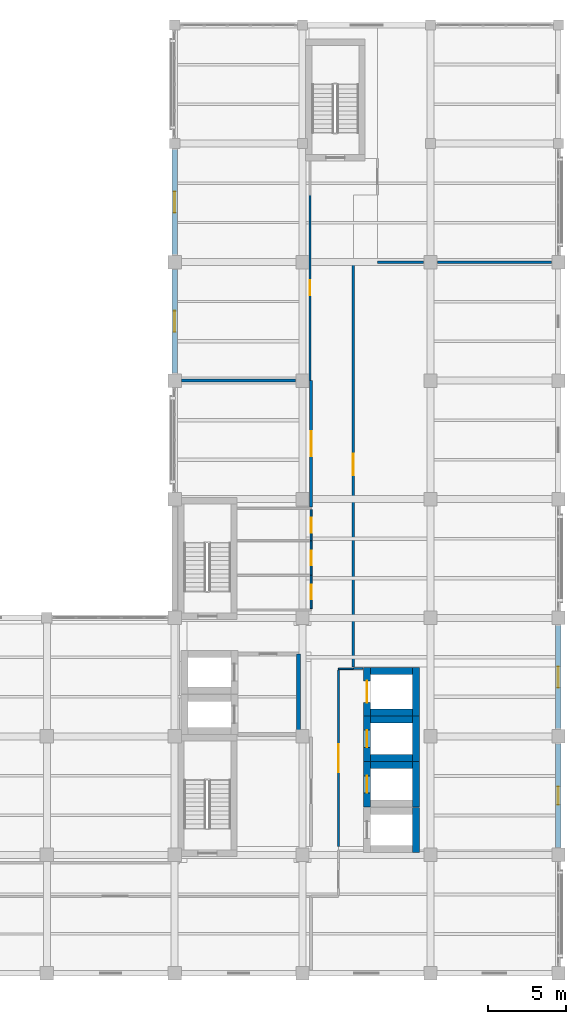
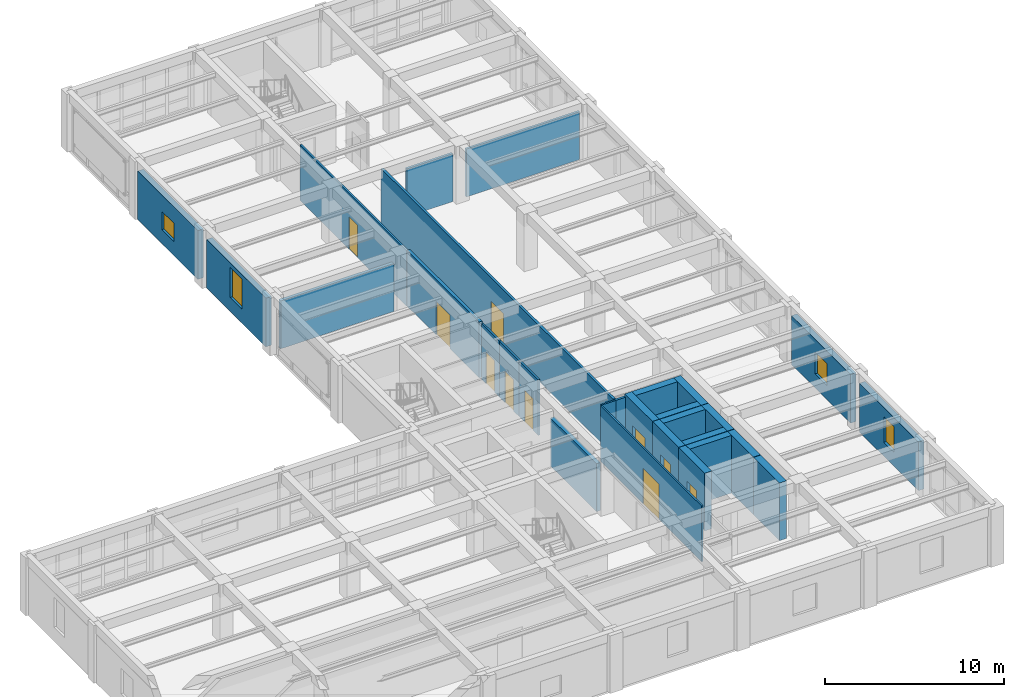
# One storey, part 10 of 17: 29 walls, 10 doors, 4 windows, 14 openings.
"""IFC4 building model written with IfcOpenShell, lengths in metres."""

from ifc_helpers import new_model, si_unit, direction, frame, frame_2d, origin, place, context, subcontext, project, spatial, rectangle, extrude, material, layer, layer_set, type_object, element, fill, save


model = new_model("IFC4")

# Units and contexts
model_context = context("Model", 3, precision=1e-05, world=origin(), true_north=direction((0.0, 1.0)))
body_context = subcontext(model_context, "Body", "Model", "MODEL_VIEW")
ifc_project = project(units=[si_unit("LENGTHUNIT", "METRE"), si_unit("AREAUNIT", "SQUARE_METRE"), si_unit("VOLUMEUNIT", "CUBIC_METRE"), si_unit("PLANEANGLEUNIT", "RADIAN"), si_unit("MASSUNIT", "GRAM", prefix="KILO")], contexts=[model_context])

# Site, building, storey
site_placement = place(None, origin())
site = spatial("IfcSite", under=ifc_project, at=site_placement, CompositionType="ELEMENT")
building_placement = place(site_placement, origin())
building = spatial("IfcBuilding", under=site, at=building_placement, Name="Qandaris Square Conservatory and Botanical Centre", CompositionType="ELEMENT")
storey_placement = place(building_placement, frame((0.0, 0.0, 28.199951171875)))
storey = spatial("IfcBuildingStorey", under=building, at=storey_placement, Name="L06", CompositionType="ELEMENT", Elevation=28.199951171875)

# Wall
ifc_material_1 = material(Name="Gypsum Plasterboard", Category="gypsum")
ifc_layer_1 = layer(ifc_material_1, 0.14990234375)
ifc_layer_set_1 = layer_set([ifc_layer_1], Name="Gypsum Plasterboard")
wall_type_1 = type_object("IfcWallType", Name="Acoustic Laboratory Partition 150mm", PredefinedType="PARTITIONING", material=ifc_layer_set_1)
wall_1_placement = place(storey_placement, frame((150.64990234375, 36.14990234375, 0.0), z_axis=(0.0, 0.0, 1.0), x_axis=(1.0, 0.0, 0.0)))
element("IfcWall", 1, at=wall_1_placement, inside=storey, type_object=wall_type_1, Name="Interior Partition IW-L06-0244", PredefinedType="PARTITIONING", context=body_context, shape_type="SweptSolid", body=[
    extrude(rectangle(XDim=0.6201171875, YDim=0.14990234375, at=frame_2d((0.31005859375, 0.0))), origin(), (0.0, 0.0, 1.0), 3.804931640625),
])

# Wall, opening, door
wall_2_placement = place(storey_placement, frame((150.64990234375, 62.199951171875, 0.0), z_axis=(0.0, 0.0, 1.0), x_axis=(0.0, -1.0, 0.0)))
wall_2 = element("IfcWall", 2, at=wall_2_placement, inside=storey, type_object=wall_type_1, Name="Interior Partition IW-L06-0255", PredefinedType="PARTITIONING", context=body_context, shape_type="SweptSolid", body=[
    extrude(rectangle(XDim=25.949951171875, YDim=0.14990234375, at=frame_2d((12.97509765625, 0.0))), origin(), (0.0, 0.0, 1.0), 3.804931640625),
])
opening_1_placement = place(wall_2_placement, frame((12.27490234375, 0.0, 0.0)))
opening_1 = element("IfcOpeningElement", 3, at=opening_1_placement, cuts=wall_2, Name="Opening D-LAB1", PredefinedType="OPENING", context=body_context, shape_type="SweptSolid", body=[
    extrude(rectangle(XDim=1.39990234375, YDim=2.199951171875, at=frame_2d((0.699951171875, 1.10009765625))), frame((0.0, 0.0869140625, 0.0), z_axis=(0.0, -1.0, 0.0), x_axis=(1.0, 0.0, 0.0)), (0.0, 0.0, 1.0), 0.173828125),
])
ifc_material_2 = material(Name="Engineered Oak Timber", Category="wood")
door_type_1 = type_object("IfcDoorType", Name="Research Laboratory Leaf-and-Half Door 1400x2200", OperationType="DOUBLE_DOOR_SINGLE_SWING", PredefinedType="DOOR", material=ifc_material_2)
door_1_placement = place(opening_1_placement, frame((1.39990234375, 0.0, 0.0), z_axis=(0.0, 0.0, 1.0), x_axis=(-1.0, 0.0, 0.0)))
door_1 = element("IfcDoor", 4, at=door_1_placement, inside=storey, type_object=door_type_1, Name="DR-0226 Conservation Genetics Analytical Laboratory Door", OperationType="DOUBLE_DOOR_SINGLE_SWING", OverallHeight=2.199951171875, OverallWidth=1.39990234375, PredefinedType="DOOR", context=body_context, shape_type="SweptSolid", body=[
    extrude(rectangle(XDim=1.39990234375, YDim=2.199951171875, at=frame_2d((0.699951171875, 1.10009765625))), frame((0.0, 0.02490234375, 0.0), z_axis=(0.0, -1.0, 0.0), x_axis=(1.0, 0.0, 0.0)), (0.0, 0.0, 1.0), 0.050048828125),
])
fill(opening_1, door_1)

# Walls
wall_3_placement = place(storey_placement, frame((152.199951171875, 62.199951171875, 0.0), z_axis=(0.0, 0.0, 1.0), x_axis=(1.0, 0.0, 0.0)))
element("IfcWall", 5, at=wall_3_placement, inside=storey, type_object=wall_type_1, Name="Interior Partition IW-L06-0263", PredefinedType="PARTITIONING", context=body_context, shape_type="SweptSolid", body=[
    extrude(rectangle(XDim=2.955078125, YDim=0.14990234375, at=frame_2d((1.4775390625, 0.0))), origin(), (0.0, 0.0, 1.0), 3.275146484375),
])
wall_4_placement = place(storey_placement, frame((156.044921875, 62.199951171875, 0.0), z_axis=(0.0, 0.0, 1.0), x_axis=(1.0, 0.0, 0.0)))
element("IfcWall", 6, at=wall_4_placement, inside=storey, type_object=wall_type_1, Name="Interior Partition IW-L06-0264", PredefinedType="PARTITIONING", context=body_context, shape_type="SweptSolid", body=[
    extrude(rectangle(XDim=7.31005859375, YDim=0.14990234375, at=frame_2d((3.655029296875, 0.0))), origin(), (0.0, 0.0, 1.0), 3.275146484375),
])

# Wall, opening, window
ifc_material_3 = material(Name="Precast concrete C40/50", Category="concrete")
ifc_layer_2 = layer(ifc_material_3, 0.360107421875)
ifc_layer_set_2 = layer_set([ifc_layer_2], Name="Precast concrete C40/50")
wall_type_2 = type_object("IfcWallType", Name="Architectural Precast Cladding Wall 360mm", PredefinedType="SOLIDWALL", material=ifc_layer_set_2)
wall_5_placement = place(storey_placement, frame((163.800048828125, 24.68505859375, 0.0), z_axis=(0.0, 0.0, 1.0), x_axis=(0.0, 1.0, 0.0)))
wall_5 = element("IfcWall", 7, at=wall_5_placement, inside=storey, type_object=wall_type_2, Name="Exterior Wall EW-TWR-L06-2-2", PredefinedType="SOLIDWALL", context=body_context, shape_type="SweptSolid", body=[
    extrude(rectangle(XDim=6.6298828125, YDim=0.360107421875, at=frame_2d((3.31494140625, 0.0))), origin(), (0.0, 0.0, 1.0), 3.324951171875),
])
opening_2_placement = place(wall_5_placement, frame((2.739990234375, 0.0, 0.949951171875)))
opening_2 = element("IfcOpeningElement", 8, at=opening_2_placement, cuts=wall_5, Name="Opening WN-19", PredefinedType="OPENING", context=body_context, shape_type="SweptSolid", body=[
    extrude(rectangle(XDim=1.14990234375, YDim=1.75, at=frame_2d((0.574951171875, 0.875))), frame((0.0, 0.19189453125, 0.0), z_axis=(0.0, -1.0, 0.0), x_axis=(1.0, 0.0, 0.0)), (0.0, 0.0, 1.0), 0.384033203125),
])
ifc_material_4 = material(Name="Tempered Low-E Glass", Category="glass")
window_type_1 = type_object("IfcWindowType", Name="Solar Control Window 1150x1750", PartitioningType="SINGLE_PANEL", PredefinedType="WINDOW", material=ifc_material_4)
window_1_placement = place(opening_2_placement, origin())
window_1 = element("IfcWindow", 9, at=window_1_placement, inside=storey, type_object=window_type_1, Name="Window EW-TWR-L06-2-2", OverallHeight=1.75, OverallWidth=1.14990234375, PartitioningType="SINGLE_PANEL", PredefinedType="WINDOW", context=body_context, shape_type="SweptSolid", body=[
    extrude(rectangle(XDim=1.14990234375, YDim=1.75, at=frame_2d((0.574951171875, 0.875))), frame((0.0, 0.030029296875, 0.0), z_axis=(0.0, -1.0, 0.0), x_axis=(1.0, 0.0, 0.0)), (0.0, 0.0, 1.0), 0.06005859375),
])
fill(opening_2, window_1)

wall_6_placement = place(storey_placement, frame((163.800048828125, 32.284912109375, 0.0), z_axis=(0.0, 0.0, 1.0), x_axis=(0.0, 1.0, 0.0)))
wall_6 = element("IfcWall", 10, at=wall_6_placement, inside=storey, type_object=wall_type_2, Name="Exterior Wall EW-TWR-L06-2-3", PredefinedType="SOLIDWALL", context=body_context, shape_type="SweptSolid", body=[
    extrude(rectangle(XDim=6.630126953125, YDim=0.360107421875, at=frame_2d((3.31494140625, 0.0))), origin(), (0.0, 0.0, 1.0), 3.324951171875),
])
opening_3_placement = place(wall_6_placement, frame((2.639892578125, 0.0, 0.949951171875)))
opening_3 = element("IfcOpeningElement", 11, at=opening_3_placement, cuts=wall_6, Name="Opening WN-22", PredefinedType="OPENING", context=body_context, shape_type="SweptSolid", body=[
    extrude(rectangle(XDim=1.35009765625, YDim=1.5, at=frame_2d((0.675048828125, 0.75))), frame((0.0, 0.19189453125, 0.0), z_axis=(0.0, -1.0, 0.0), x_axis=(1.0, 0.0, 0.0)), (0.0, 0.0, 1.0), 0.384033203125),
])
window_type_2 = type_object("IfcWindowType", Name="Solar Control Window 1350x1500", PartitioningType="SINGLE_PANEL", PredefinedType="WINDOW", material=ifc_material_4)
window_2_placement = place(opening_3_placement, origin())
window_2 = element("IfcWindow", 12, at=window_2_placement, inside=storey, type_object=window_type_2, Name="Window EW-TWR-L06-2-3", OverallHeight=1.5, OverallWidth=1.35009765625, PartitioningType="SINGLE_PANEL", PredefinedType="WINDOW", context=body_context, shape_type="SweptSolid", body=[
    extrude(rectangle(XDim=1.35009765625, YDim=1.5, at=frame_2d((0.675048828125, 0.75))), frame((0.0, 0.030029296875, 0.0), z_axis=(0.0, -1.0, 0.0), x_axis=(1.0, 0.0, 0.0)), (0.0, 0.0, 1.0), 0.06005859375),
])
fill(opening_3, window_2)

wall_7_placement = place(storey_placement, frame((139.199951171875, 69.4150390625, 0.0), z_axis=(0.0, 0.0, 1.0), x_axis=(0.0, -1.0, 0.0)))
wall_7 = element("IfcWall", 13, at=wall_7_placement, inside=storey, type_object=wall_type_2, Name="Exterior Wall EW-TWR-L06-4-2", PredefinedType="SOLIDWALL", context=body_context, shape_type="SweptSolid", body=[
    extrude(rectangle(XDim=6.72998046875, YDim=0.360107421875, at=frame_2d((3.364990234375, 0.0))), origin(), (0.0, 0.0, 1.0), 3.324951171875),
])
opening_4_placement = place(wall_7_placement, frame((2.68994140625, 0.0, 0.949951171875)))
opening_4 = element("IfcOpeningElement", 14, at=opening_4_placement, cuts=wall_7, Name="Opening WN-21", PredefinedType="OPENING", context=body_context, shape_type="SweptSolid", body=[
    extrude(rectangle(XDim=1.35009765625, YDim=1.25, at=frame_2d((0.675048828125, 0.625))), frame((0.0, 0.19189453125, 0.0), z_axis=(0.0, -1.0, 0.0), x_axis=(1.0, 0.0, 0.0)), (0.0, 0.0, 1.0), 0.384033203125),
])
window_type_3 = type_object("IfcWindowType", Name="Solar Control Window 1350x1250", PartitioningType="SINGLE_PANEL", PredefinedType="WINDOW", material=ifc_material_4)
window_3_placement = place(opening_4_placement, origin())
window_3 = element("IfcWindow", 15, at=window_3_placement, inside=storey, type_object=window_type_3, Name="Window EW-TWR-L06-4-2", OverallHeight=1.25, OverallWidth=1.35009765625, PartitioningType="SINGLE_PANEL", PredefinedType="WINDOW", context=body_context, shape_type="SweptSolid", body=[
    extrude(rectangle(XDim=1.35009765625, YDim=1.25, at=frame_2d((0.675048828125, 0.625))), frame((0.0, 0.030029296875, 0.0), z_axis=(0.0, -1.0, 0.0), x_axis=(1.0, 0.0, 0.0)), (0.0, 0.0, 1.0), 0.06005859375),
])
fill(opening_4, window_3)

wall_8_placement = place(storey_placement, frame((139.199951171875, 61.715087890625, 0.0), z_axis=(0.0, 0.0, 1.0), x_axis=(0.0, -1.0, 0.0)))
wall_8 = element("IfcWall", 16, at=wall_8_placement, inside=storey, type_object=wall_type_2, Name="Exterior Wall EW-TWR-L06-4-3", PredefinedType="SOLIDWALL", context=body_context, shape_type="SweptSolid", body=[
    extrude(rectangle(XDim=6.630126953125, YDim=0.360107421875, at=frame_2d((3.31494140625, 0.0))), origin(), (0.0, 0.0, 1.0), 3.324951171875),
])
opening_5_placement = place(wall_8_placement, frame((2.639892578125, 0.0, 0.949951171875)))
opening_5 = element("IfcOpeningElement", 17, at=opening_5_placement, cuts=wall_8, Name="Opening WN-24", PredefinedType="OPENING", context=body_context, shape_type="SweptSolid", body=[
    extrude(rectangle(XDim=1.35009765625, YDim=2.050048828125, at=frame_2d((0.675048828125, 1.02490234375))), frame((0.0, 0.19189453125, 0.0), z_axis=(0.0, -1.0, 0.0), x_axis=(1.0, 0.0, 0.0)), (0.0, 0.0, 1.0), 0.384033203125),
])
window_type_4 = type_object("IfcWindowType", Name="Solar Control Window 1350x2050", PartitioningType="SINGLE_PANEL", PredefinedType="WINDOW", material=ifc_material_4)
window_4_placement = place(opening_5_placement, origin())
window_4 = element("IfcWindow", 18, at=window_4_placement, inside=storey, type_object=window_type_4, Name="Window EW-TWR-L06-4-3", OverallHeight=2.050048828125, OverallWidth=1.35009765625, PartitioningType="SINGLE_PANEL", PredefinedType="WINDOW", context=body_context, shape_type="SweptSolid", body=[
    extrude(rectangle(XDim=1.35009765625, YDim=2.050048828125, at=frame_2d((0.675048828125, 1.02490234375))), frame((0.0, 0.030029296875, 0.0), z_axis=(0.0, -1.0, 0.0), x_axis=(1.0, 0.0, 0.0)), (0.0, 0.0, 1.0), 0.06005859375),
])
fill(opening_5, window_4)

# Wall
ifc_material_5 = material(Name="Concrete C40/50", Category="concrete")
ifc_layer_3 = layer(ifc_material_5, 0.25)
ifc_layer_set_3 = layer_set([ifc_layer_3], Name="Concrete C40/50")
wall_type_3 = type_object("IfcWallType", Name="Firefighting Lobby Compartment Wall 250mm", PredefinedType="SOLIDWALL", material=ifc_layer_set_3)
wall_9_placement = place(storey_placement, frame((147.125, 31.925048828125, 0.0), z_axis=(0.0, 0.0, 1.0), x_axis=(0.0, 1.0, 0.0)))
element("IfcWall", 19, at=wall_9_placement, inside=storey, type_object=wall_type_3, Name="Firefighting Lobby Wall East (L06)", PredefinedType="SOLIDWALL", context=body_context, shape_type="SweptSolid", body=[
    extrude(rectangle(XDim=5.14990234375, YDim=0.25, at=frame_2d((2.574951171875, 0.0))), origin(), (0.0, 0.0, 1.0), 3.275146484375),
])

# Wall, opening, door
ifc_layer_4 = layer(ifc_material_4, 0.10009765625)
ifc_layer_set_4 = layer_set([ifc_layer_4], Name="Tempered Low-E Glass")
wall_type_4 = type_object("IfcWallType", Name="Framed Acoustic Glazed Gallery Screen 100mm", PredefinedType="PARTITIONING", material=ifc_layer_set_4)
wall_10_placement = place(storey_placement, frame((149.699951171875, 24.75, 0.0), z_axis=(0.0, 0.0, 1.0), x_axis=(0.0, 1.0, 0.0)))
wall_10 = element("IfcWall", 20, at=wall_10_placement, inside=storey, type_object=wall_type_4, Name="Interior Partition IW-L06-0242", PredefinedType="PARTITIONING", context=body_context, shape_type="SweptSolid", body=[
    extrude(rectangle(XDim=11.300048828125, YDim=0.10009765625, at=frame_2d((5.64990234375, 0.0))), origin(), (0.0, 0.0, 1.0), 3.804931640625),
])
opening_6_placement = place(wall_10_placement, frame((4.75, 0.0, 0.0)))
opening_6 = element("IfcOpeningElement", 21, at=opening_6_placement, cuts=wall_10, Name="Opening D-GL1", PredefinedType="OPENING", context=body_context, shape_type="SweptSolid", body=[
    extrude(rectangle(XDim=1.800048828125, YDim=2.39990234375, at=frame_2d((0.89990234375, 1.199951171875))), frame((0.0, 0.06201171875, 0.0), z_axis=(0.0, -1.0, 0.0), x_axis=(1.0, 0.0, 0.0)), (0.0, 0.0, 1.0), 0.1240234375),
])
ifc_material_6 = material(Name="Anodised Aluminium", Category="aluminium")
door_type_2 = type_object("IfcDoorType", Name="Visitor Gallery Glazed Double Door 1800x2400", OperationType="DOUBLE_DOOR_SINGLE_SWING", PredefinedType="DOOR", material=ifc_material_6)
door_2_placement = place(opening_6_placement, frame((1.800048828125, 0.0, 0.0), z_axis=(0.0, 0.0, 1.0), x_axis=(-1.0, 0.0, 0.0)))
door_2 = element("IfcDoor", 22, at=door_2_placement, inside=storey, type_object=door_type_2, Name="DR-0223 Main Circulation Corridor L06 Door", OperationType="DOUBLE_DOOR_SINGLE_SWING", OverallHeight=2.39990234375, OverallWidth=1.800048828125, PredefinedType="DOOR", context=body_context, shape_type="SweptSolid", body=[
    extrude(rectangle(XDim=1.800048828125, YDim=2.39990234375, at=frame_2d((0.89990234375, 1.199951171875))), frame((0.0, 0.02490234375, 0.0), z_axis=(0.0, -1.0, 0.0), x_axis=(1.0, 0.0, 0.0)), (0.0, 0.0, 1.0), 0.050048828125),
])
fill(opening_6, door_2)

# Wall
wall_11_placement = place(storey_placement, frame((149.699951171875, 36.125, 0.0), z_axis=(0.0, 0.0, 1.0), x_axis=(1.0, 0.0, 0.0)))
element("IfcWall", 23, at=wall_11_placement, inside=storey, type_object=wall_type_4, Name="Interior Partition IW-L06-0243", PredefinedType="PARTITIONING", context=body_context, shape_type="SweptSolid", body=[
    extrude(rectangle(XDim=0.949951171875, YDim=0.10009765625, at=frame_2d((0.47509765625, 0.0))), origin(), (0.0, 0.0, 1.0), 3.804931640625),
])

# Wall, opening, door
ifc_layer_5 = layer(ifc_material_5, 0.199951171875)
ifc_layer_set_5 = layer_set([ifc_layer_5], Name="Concrete C40/50")
wall_type_5 = type_object("IfcWallType", Name="Herbarium & Plant Compartment Wall 200mm", PredefinedType="PARTITIONING", material=ifc_layer_set_5)
wall_12_placement = place(storey_placement, frame((147.949951171875, 46.510009765625, 0.0), z_axis=(0.0, 0.0, 1.0), x_axis=(0.0, 1.0, 0.0)))
wall_12 = element("IfcWall", 24, at=wall_12_placement, inside=storey, type_object=wall_type_5, Name="Interior Partition IW-L06-0256", PredefinedType="PARTITIONING", context=body_context, shape_type="SweptSolid", body=[
    extrude(rectangle(XDim=8.090087890625, YDim=0.199951171875, at=frame_2d((4.044921875, 0.0))), origin(), (0.0, 0.0, 1.0), 3.804931640625),
])
opening_7_placement = place(wall_12_placement, frame((3.2451171875, 0.0, 0.0)))
opening_7 = element("IfcOpeningElement", 25, at=opening_7_placement, cuts=wall_12, Name="Opening D-HRB1", PredefinedType="OPENING", context=body_context, shape_type="SweptSolid", body=[
    extrude(rectangle(XDim=1.60009765625, YDim=2.300048828125, at=frame_2d((0.800048828125, 1.14990234375))), frame((0.0, 0.11181640625, 0.0), z_axis=(0.0, -1.0, 0.0), x_axis=(1.0, 0.0, 0.0)), (0.0, 0.0, 1.0), 0.223876953125),
])
ifc_material_7 = material(Name="Steel S355", Category="steel")
door_type_3 = type_object("IfcDoorType", Name="Herbarium Sealable Specimen Double Door 1600x2300", OperationType="DOUBLE_DOOR_SINGLE_SWING", PredefinedType="DOOR", material=ifc_material_7)
door_3_placement = place(opening_7_placement, origin())
door_3 = element("IfcDoor", 26, at=door_3_placement, inside=storey, type_object=door_type_3, Name="DR-0225 Pollinator Ecology Specimen Prep Room Door", OperationType="DOUBLE_DOOR_SINGLE_SWING", OverallHeight=2.300048828125, OverallWidth=1.60009765625, PredefinedType="DOOR", context=body_context, shape_type="SweptSolid", body=[
    extrude(rectangle(XDim=1.60009765625, YDim=2.300048828125, at=frame_2d((0.800048828125, 1.14990234375))), frame((0.0, 0.02490234375, 0.0), z_axis=(0.0, -1.0, 0.0), x_axis=(1.0, 0.0, 0.0)), (0.0, 0.0, 1.0), 0.050048828125),
])
fill(opening_7, door_3)

# Walls
wall_13_placement = place(storey_placement, frame((139.64501953125, 54.60009765625, 0.0), z_axis=(0.0, 0.0, 1.0), x_axis=(1.0, 0.0, 0.0)))
element("IfcWall", 27, at=wall_13_placement, inside=storey, type_object=wall_type_5, Name="Interior Partition IW-L06-0265", PredefinedType="PARTITIONING", context=body_context, shape_type="SweptSolid", body=[
    extrude(rectangle(XDim=7.31005859375, YDim=0.199951171875, at=frame_2d((3.655029296875, 0.0))), origin(), (0.0, 0.0, 1.0), 3.275146484375),
])
ifc_material_8 = material(Name="Concrete C50/60", Category="concrete")
ifc_layer_6 = layer(ifc_material_8, 0.449951171875)
ifc_layer_set_6 = layer_set([ifc_layer_6], Name="Concrete C50/60")
wall_type_6 = type_object("IfcWallType", Name="RC Coupled Core Shear Wall 450mm", PredefinedType="SHEAR", material=ifc_layer_set_6)
wall_14_placement = place(storey_placement, frame((154.675048828125, 24.35009765625, 0.0), z_axis=(0.0, 0.0, 1.0), x_axis=(0.0, 1.0, 0.0)))
element("IfcWall", 28, at=wall_14_placement, inside=storey, type_object=wall_type_6, Name="Lift PL1 Shaft Wall East (L06)", PredefinedType="SHEAR", context=body_context, shape_type="SweptSolid", body=[
    extrude(rectangle(XDim=2.89990234375, YDim=0.449951171875, at=frame_2d((1.449951171875, 0.0))), origin(), (0.0, 0.0, 1.0), 3.93994140625),
])
wall_15_placement = place(storey_placement, frame((151.75, 29.945068359375, 0.0), z_axis=(0.0, 0.0, 1.0), x_axis=(1.0, 0.0, 0.0)))
element("IfcWall", 29, at=wall_15_placement, inside=storey, type_object=wall_type_6, Name="Lift PL2 Shaft Wall North (L06)", PredefinedType="SHEAR", context=body_context, shape_type="SweptSolid", body=[
    extrude(rectangle(XDim=2.699951171875, YDim=0.449951171875, at=frame_2d((1.35009765625, 0.0))), origin(), (0.0, 0.0, 1.0), 3.93994140625),
])

# Wall, opening, door
wall_16_placement = place(storey_placement, frame((151.52490234375, 27.27001953125, 0.0), z_axis=(0.0, 0.0, 1.0), x_axis=(0.0, 1.0, 0.0)))
wall_16 = element("IfcWall", 30, at=wall_16_placement, inside=storey, type_object=wall_type_6, Name="Lift PL2 Shaft Wall West (L06)", PredefinedType="SHEAR", context=body_context, shape_type="SweptSolid", body=[
    extrude(rectangle(XDim=2.89990234375, YDim=0.449951171875, at=frame_2d((1.449951171875, 0.0))), origin(), (0.0, 0.0, 1.0), 3.93994140625),
])
opening_8_placement = place(wall_16_placement, frame((0.89990234375, 0.0, 0.0)))
opening_8 = element("IfcOpeningElement", 31, at=opening_8_placement, cuts=wall_16, Name="Opening LD-PAX", PredefinedType="OPENING", context=body_context, shape_type="SweptSolid", body=[
    extrude(rectangle(XDim=1.10009765625, YDim=2.199951171875, at=frame_2d((0.550048828125, 1.10009765625))), frame((0.0, 0.23681640625, 0.0), z_axis=(0.0, -1.0, 0.0), x_axis=(1.0, 0.0, 0.0)), (0.0, 0.0, 1.0), 0.473876953125),
])
door_type_4 = type_object("IfcDoorType", Name="Passenger Lift Sliding Landing Door 1100x2200", OperationType="DOUBLE_DOOR_SLIDING", PredefinedType="DOOR", material=ifc_material_6)
door_4_placement = place(opening_8_placement, origin())
door_4 = element("IfcDoor", 32, at=door_4_placement, inside=storey, type_object=door_type_4, Name="DR-0243 Lift PL2 Landing Door (L06)", OperationType="DOUBLE_DOOR_SLIDING", OverallHeight=2.199951171875, OverallWidth=1.10009765625, PredefinedType="DOOR", context=body_context, shape_type="SweptSolid", body=[
    extrude(rectangle(XDim=1.10009765625, YDim=2.199951171875, at=frame_2d((0.550048828125, 1.10009765625))), frame((0.0, 0.02490234375, 0.0), z_axis=(0.0, -1.0, 0.0), x_axis=(1.0, 0.0, 0.0)), (0.0, 0.0, 1.0), 0.050048828125),
])
fill(opening_8, door_4)

# Walls
wall_17_placement = place(storey_placement, frame((154.675048828125, 27.27001953125, 0.0), z_axis=(0.0, 0.0, 1.0), x_axis=(0.0, 1.0, 0.0)))
element("IfcWall", 33, at=wall_17_placement, inside=storey, type_object=wall_type_6, Name="Lift PL2 Shaft Wall East (L06)", PredefinedType="SHEAR", context=body_context, shape_type="SweptSolid", body=[
    extrude(rectangle(XDim=2.89990234375, YDim=0.449951171875, at=frame_2d((1.449951171875, 0.0))), origin(), (0.0, 0.0, 1.0), 3.93994140625),
])
for number, where, z_axis, x_axis, name in (
    (34, (151.75, 30.4150390625, 0.0), (0.0, 0.0, 1.0), (1.0, 0.0, 0.0), "Lift PL3 Shaft Wall South (L06)"),
    (35, (151.75, 32.864990234375, 0.0), (0.0, 0.0, 1.0), (1.0, 0.0, 0.0), "Lift PL3 Shaft Wall North (L06)"),
):
    element("IfcWall", number, at=place(storey_placement, frame(where, z_axis=z_axis, x_axis=x_axis)), inside=storey, type_object=wall_type_6, Name=name, PredefinedType="SHEAR", context=body_context, shape_type="SweptSolid", body=[
        extrude(rectangle(XDim=2.699951171875, YDim=0.449951171875, at=frame_2d((1.35009765625, 0.0))), origin(), (0.0, 0.0, 1.0), 3.93994140625),
    ])

# Wall, opening, door
wall_18_placement = place(storey_placement, frame((151.52490234375, 30.18994140625, 0.0), z_axis=(0.0, 0.0, 1.0), x_axis=(0.0, 1.0, 0.0)))
wall_18 = element("IfcWall", 36, at=wall_18_placement, inside=storey, type_object=wall_type_6, Name="Lift PL3 Shaft Wall West (L06)", PredefinedType="SHEAR", context=body_context, shape_type="SweptSolid", body=[
    extrude(rectangle(XDim=2.900146484375, YDim=0.449951171875, at=frame_2d((1.4501953125, 0.0))), origin(), (0.0, 0.0, 1.0), 3.93994140625),
])
opening_9_placement = place(wall_18_placement, frame((0.89990234375, 0.0, 0.0)))
opening_9 = element("IfcOpeningElement", 37, at=opening_9_placement, cuts=wall_18, Name="Opening LD-PAX", PredefinedType="OPENING", context=body_context, shape_type="SweptSolid", body=[
    extrude(rectangle(XDim=1.10009765625, YDim=2.199951171875, at=frame_2d((0.550048828125, 1.10009765625))), frame((0.0, 0.23681640625, 0.0), z_axis=(0.0, -1.0, 0.0), x_axis=(1.0, 0.0, 0.0)), (0.0, 0.0, 1.0), 0.473876953125),
])
door_5_placement = place(opening_9_placement, origin())
door_5 = element("IfcDoor", 38, at=door_5_placement, inside=storey, type_object=door_type_4, Name="DR-0244 Lift PL3 Landing Door (L06)", OperationType="DOUBLE_DOOR_SLIDING", OverallHeight=2.199951171875, OverallWidth=1.10009765625, PredefinedType="DOOR", context=body_context, shape_type="SweptSolid", body=[
    extrude(rectangle(XDim=1.10009765625, YDim=2.199951171875, at=frame_2d((0.550048828125, 1.10009765625))), frame((0.0, 0.02490234375, 0.0), z_axis=(0.0, -1.0, 0.0), x_axis=(1.0, 0.0, 0.0)), (0.0, 0.0, 1.0), 0.050048828125),
])
fill(opening_9, door_5)

# Walls
wall_19_placement = place(storey_placement, frame((154.675048828125, 30.18994140625, 0.0), z_axis=(0.0, 0.0, 1.0), x_axis=(0.0, 1.0, 0.0)))
element("IfcWall", 39, at=wall_19_placement, inside=storey, type_object=wall_type_6, Name="Lift PL3 Shaft Wall East (L06)", PredefinedType="SHEAR", context=body_context, shape_type="SweptSolid", body=[
    extrude(rectangle(XDim=2.900146484375, YDim=0.449951171875, at=frame_2d((1.4501953125, 0.0))), origin(), (0.0, 0.0, 1.0), 3.93994140625),
])
for number, where, z_axis, x_axis, name in (
    (40, (151.75, 33.3349609375, 0.0), (0.0, 0.0, 1.0), (1.0, 0.0, 0.0), "Lift GL1 Shaft Wall South (L06)"),
    (41, (151.75, 35.985107421875, 0.0), (0.0, 0.0, 1.0), (1.0, 0.0, 0.0), "Lift GL1 Shaft Wall North (L06)"),
):
    element("IfcWall", number, at=place(storey_placement, frame(where, z_axis=z_axis, x_axis=x_axis)), inside=storey, type_object=wall_type_6, Name=name, PredefinedType="SHEAR", context=body_context, shape_type="SweptSolid", body=[
        extrude(rectangle(XDim=2.699951171875, YDim=0.449951171875, at=frame_2d((1.35009765625, 0.0))), origin(), (0.0, 0.0, 1.0), 3.93994140625),
    ])

# Wall, opening, door
wall_20_placement = place(storey_placement, frame((151.52490234375, 33.110107421875, 0.0), z_axis=(0.0, 0.0, 1.0), x_axis=(0.0, 1.0, 0.0)))
wall_20 = element("IfcWall", 42, at=wall_20_placement, inside=storey, type_object=wall_type_6, Name="Lift GL1 Shaft Wall West (L06)", PredefinedType="SHEAR", context=body_context, shape_type="SweptSolid", body=[
    extrude(rectangle(XDim=3.099853515625, YDim=0.449951171875, at=frame_2d((1.5498046875, 0.0))), origin(), (0.0, 0.0, 1.0), 3.93994140625),
])
opening_10_placement = place(wall_20_placement, frame((0.85009765625, 0.0, 0.0)))
opening_10 = element("IfcOpeningElement", 43, at=opening_10_placement, cuts=wall_20, Name="Opening LD-GDS", PredefinedType="OPENING", context=body_context, shape_type="SweptSolid", body=[
    extrude(rectangle(XDim=1.39990234375, YDim=2.300048828125, at=frame_2d((0.699951171875, 1.14990234375))), frame((0.0, 0.23681640625, 0.0), z_axis=(0.0, -1.0, 0.0), x_axis=(1.0, 0.0, 0.0)), (0.0, 0.0, 1.0), 0.473876953125),
])
door_type_5 = type_object("IfcDoorType", Name="Goods & Herbarium Lift Sliding Landing Door 1400x2300", OperationType="DOUBLE_DOOR_SLIDING", PredefinedType="DOOR", material=ifc_material_7)
door_6_placement = place(opening_10_placement, origin())
door_6 = element("IfcDoor", 44, at=door_6_placement, inside=storey, type_object=door_type_5, Name="DR-0241 Lift GL1 Landing Door (L06)", OperationType="DOUBLE_DOOR_SLIDING", OverallHeight=2.300048828125, OverallWidth=1.39990234375, PredefinedType="DOOR", context=body_context, shape_type="SweptSolid", body=[
    extrude(rectangle(XDim=1.39990234375, YDim=2.300048828125, at=frame_2d((0.699951171875, 1.14990234375))), frame((0.0, 0.02490234375, 0.0), z_axis=(0.0, -1.0, 0.0), x_axis=(1.0, 0.0, 0.0)), (0.0, 0.0, 1.0), 0.050048828125),
])
fill(opening_10, door_6)

# Wall
wall_21_placement = place(storey_placement, frame((154.675048828125, 33.110107421875, 0.0), z_axis=(0.0, 0.0, 1.0), x_axis=(0.0, 1.0, 0.0)))
element("IfcWall", 45, at=wall_21_placement, inside=storey, type_object=wall_type_6, Name="Lift GL1 Shaft Wall East (L06)", PredefinedType="SHEAR", context=body_context, shape_type="SweptSolid", body=[
    extrude(rectangle(XDim=3.099853515625, YDim=0.449951171875, at=frame_2d((1.5498046875, 0.0))), origin(), (0.0, 0.0, 1.0), 3.93994140625),
])

# Wall, opening, door
ifc_layer_7 = layer(ifc_material_1, 0.1201171875)
ifc_layer_set_7 = layer_set([ifc_layer_7], Name="Gypsum Plasterboard")
wall_type_7 = type_object("IfcWallType", Name="Standard Research Partition 120mm", PredefinedType="PARTITIONING", material=ifc_layer_set_7)
wall_22_placement = place(storey_placement, frame((147.949951171875, 42.1201171875, 0.0), z_axis=(0.0, 0.0, 1.0), x_axis=(0.0, -1.0, 0.0)))
wall_22 = element("IfcWall", 46, at=wall_22_placement, inside=storey, type_object=wall_type_7, Name="Interior Partition IW-L06-0246", PredefinedType="PARTITIONING", context=body_context, shape_type="SweptSolid", body=[
    extrude(rectangle(XDim=2.130126953125, YDim=0.1201171875, at=frame_2d((1.06494140625, 0.0))), origin(), (0.0, 0.0, 1.0), 3.804931640625),
])
opening_11_placement = place(wall_22_placement, frame((0.590087890625, 0.0, 0.0)))
opening_11 = element("IfcOpeningElement", 47, at=opening_11_placement, cuts=wall_22, Name="Opening D-WC1", PredefinedType="OPENING", context=body_context, shape_type="SweptSolid", body=[
    extrude(rectangle(XDim=0.949951171875, YDim=2.14990234375, at=frame_2d((0.47509765625, 1.074951171875))), frame((0.0, 0.072021484375, 0.0), z_axis=(0.0, -1.0, 0.0), x_axis=(1.0, 0.0, 0.0)), (0.0, 0.0, 1.0), 0.14404296875),
])
door_type_6 = type_object("IfcDoorType", Name="Accessible Sanitary Room Door 950x2150", OperationType="NOTDEFINED", PredefinedType="DOOR", material=ifc_material_2)
door_7_placement = place(opening_11_placement, origin())
door_7 = element("IfcDoor", 48, at=door_7_placement, inside=storey, type_object=door_type_6, Name="DR-0236 Accessible Toilet L06 Door", OperationType="SINGLE_SWING_LEFT", OverallHeight=2.14990234375, OverallWidth=0.949951171875, PredefinedType="DOOR", context=body_context, shape_type="SweptSolid", body=[
    extrude(rectangle(XDim=0.949951171875, YDim=2.14990234375, at=frame_2d((0.47509765625, 1.074951171875))), frame((0.0, 0.02490234375, 0.0), z_axis=(0.0, -1.0, 0.0), x_axis=(1.0, 0.0, 0.0)), (0.0, 0.0, 1.0), 0.050048828125),
])
fill(opening_11, door_7)

wall_23_placement = place(storey_placement, frame((147.949951171875, 44.340087890625, 0.0), z_axis=(0.0, 0.0, 1.0), x_axis=(0.0, -1.0, 0.0)))
wall_23 = element("IfcWall", 49, at=wall_23_placement, inside=storey, type_object=wall_type_7, Name="Interior Partition IW-L06-0248", PredefinedType="PARTITIONING", context=body_context, shape_type="SweptSolid", body=[
    extrude(rectangle(XDim=2.219970703125, YDim=0.1201171875, at=frame_2d((1.10986328125, 0.0))), origin(), (0.0, 0.0, 1.0), 3.804931640625),
])
opening_12_placement = place(wall_23_placement, frame((0.635009765625, 0.0, 0.0)))
opening_12 = element("IfcOpeningElement", 50, at=opening_12_placement, cuts=wall_23, Name="Opening D-WC1", PredefinedType="OPENING", context=body_context, shape_type="SweptSolid", body=[
    extrude(rectangle(XDim=0.949951171875, YDim=2.14990234375, at=frame_2d((0.47509765625, 1.074951171875))), frame((0.0, 0.072021484375, 0.0), z_axis=(0.0, -1.0, 0.0), x_axis=(1.0, 0.0, 0.0)), (0.0, 0.0, 1.0), 0.14404296875),
])
door_8_placement = place(opening_12_placement, origin())
door_8 = element("IfcDoor", 51, at=door_8_placement, inside=storey, type_object=door_type_6, Name="DR-0237 Staff Male Toilet L06 Door", OperationType="SINGLE_SWING_RIGHT", OverallHeight=2.14990234375, OverallWidth=0.949951171875, PredefinedType="DOOR", context=body_context, shape_type="SweptSolid", body=[
    extrude(rectangle(XDim=0.949951171875, YDim=2.14990234375, at=frame_2d((0.47509765625, 1.074951171875))), frame((0.0, 0.02490234375, 0.0), z_axis=(0.0, -1.0, 0.0), x_axis=(1.0, 0.0, 0.0)), (0.0, 0.0, 1.0), 0.050048828125),
])
fill(opening_12, door_8)

wall_24_placement = place(storey_placement, frame((147.949951171875, 46.330078125, 0.0), z_axis=(0.0, 0.0, 1.0), x_axis=(0.0, -1.0, 0.0)))
wall_24 = element("IfcWall", 52, at=wall_24_placement, inside=storey, type_object=wall_type_7, Name="Interior Partition IW-L06-0249", PredefinedType="PARTITIONING", context=body_context, shape_type="SweptSolid", body=[
    extrude(rectangle(XDim=1.989990234375, YDim=0.1201171875, at=frame_2d((0.9951171875, 0.0))), origin(), (0.0, 0.0, 1.0), 3.804931640625),
])
opening_13_placement = place(wall_24_placement, frame((0.52001953125, 0.0, 0.0)))
opening_13 = element("IfcOpeningElement", 53, at=opening_13_placement, cuts=wall_24, Name="Opening D-WC1", PredefinedType="OPENING", context=body_context, shape_type="SweptSolid", body=[
    extrude(rectangle(XDim=0.949951171875, YDim=2.14990234375, at=frame_2d((0.47509765625, 1.074951171875))), frame((0.0, 0.072021484375, 0.0), z_axis=(0.0, -1.0, 0.0), x_axis=(1.0, 0.0, 0.0)), (0.0, 0.0, 1.0), 0.14404296875),
])
door_9_placement = place(opening_13_placement, frame((0.949951171875, 0.0, 0.0), z_axis=(0.0, 0.0, 1.0), x_axis=(-1.0, 0.0, 0.0)))
door_9 = element("IfcDoor", 54, at=door_9_placement, inside=storey, type_object=door_type_6, Name="DR-0238 Staff Female Toilet L06 Door", OperationType="SINGLE_SWING_LEFT", OverallHeight=2.14990234375, OverallWidth=0.949951171875, PredefinedType="DOOR", context=body_context, shape_type="SweptSolid", body=[
    extrude(rectangle(XDim=0.949951171875, YDim=2.14990234375, at=frame_2d((0.47509765625, 1.074951171875))), frame((0.0, 0.02490234375, 0.0), z_axis=(0.0, -1.0, 0.0), x_axis=(1.0, 0.0, 0.0)), (0.0, 0.0, 1.0), 0.050048828125),
])
fill(opening_13, door_9)

wall_25_placement = place(storey_placement, frame((147.875, 54.60009765625, 0.0), z_axis=(0.0, 0.0, 1.0), x_axis=(0.0, 1.0, 0.0)))
wall_25 = element("IfcWall", 55, at=wall_25_placement, inside=storey, type_object=wall_type_7, Name="Interior Partition IW-L06-0257", PredefinedType="PARTITIONING", context=body_context, shape_type="SweptSolid", body=[
    extrude(rectangle(XDim=11.89990234375, YDim=0.1201171875, at=frame_2d((5.949951171875, 0.0))), origin(), (0.0, 0.0, 1.0), 3.804931640625),
])
opening_14_placement = place(wall_25_placement, frame((5.47509765625, 0.0, 0.0)))
opening_14 = element("IfcOpeningElement", 56, at=opening_14_placement, cuts=wall_25, Name="Opening D-OFF1", PredefinedType="OPENING", context=body_context, shape_type="SweptSolid", body=[
    extrude(rectangle(XDim=0.949951171875, YDim=2.199951171875, at=frame_2d((0.47509765625, 1.10009765625))), frame((0.0, 0.072021484375, 0.0), z_axis=(0.0, -1.0, 0.0), x_axis=(1.0, 0.0, 0.0)), (0.0, 0.0, 1.0), 0.14404296875),
])
door_type_7 = type_object("IfcDoorType", Name="Research Office Acoustic Door 950x2200", OperationType="NOTDEFINED", PredefinedType="DOOR", material=ifc_material_2)
door_10_placement = place(opening_14_placement, frame((0.949951171875, 0.0, 0.0), z_axis=(0.0, 0.0, 1.0), x_axis=(-1.0, 0.0, 0.0)))
door_10 = element("IfcDoor", 57, at=door_10_placement, inside=storey, type_object=door_type_7, Name="DR-0230 Arid Agroforestry Collaborative Seminar Room Door", OperationType="SINGLE_SWING_RIGHT", OverallHeight=2.199951171875, OverallWidth=0.949951171875, PredefinedType="DOOR", context=body_context, shape_type="SweptSolid", body=[
    extrude(rectangle(XDim=0.949951171875, YDim=2.199951171875, at=frame_2d((0.47509765625, 1.10009765625))), frame((0.0, 0.02490234375, 0.0), z_axis=(0.0, -1.0, 0.0), x_axis=(1.0, 0.0, 0.0)), (0.0, 0.0, 1.0), 0.050048828125),
])
fill(opening_14, door_10)

save(model, "model.ifc")
